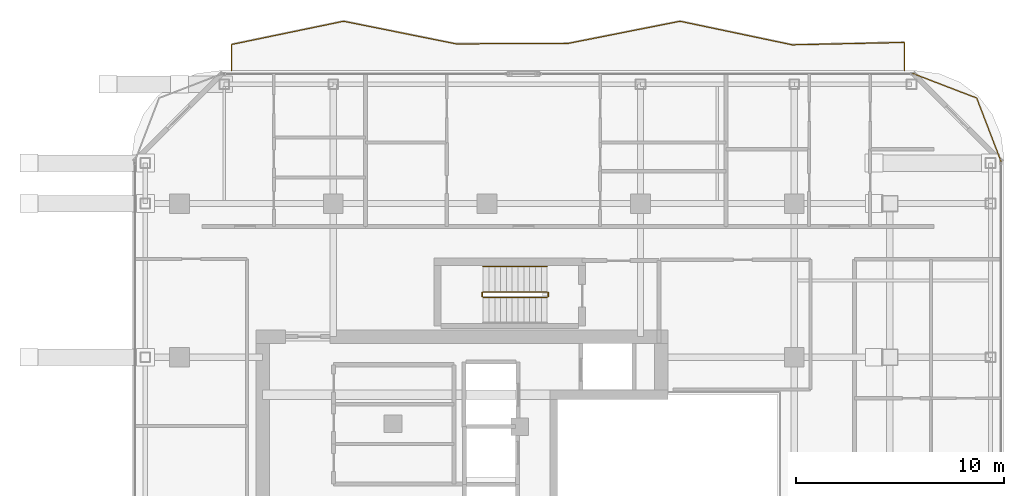
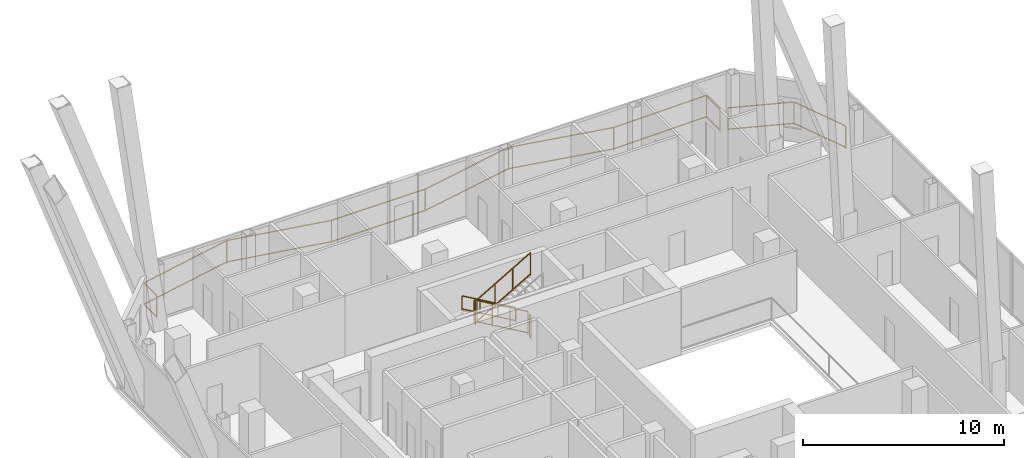
# One storey, part 27 of 27: 7 railings.
"""IFC4 building model written with IfcOpenShell, lengths in metres."""

from ifc_helpers import new_model, si_unit, direction, frame, origin, origin_2d, place, context, subcontext, project, spatial, rectangle, extrude, material, type_object, element, save


model = new_model("IFC4")

# Units and contexts
model_context = context("Model", 3, precision=1e-05, world=origin(), true_north=direction((0.0, 1.0)))
body_context = subcontext(model_context, "Body", "Model", "MODEL_VIEW")
ifc_project = project(units=[si_unit("LENGTHUNIT", "METRE"), si_unit("AREAUNIT", "SQUARE_METRE"), si_unit("VOLUMEUNIT", "CUBIC_METRE"), si_unit("PLANEANGLEUNIT", "RADIAN"), si_unit("MASSUNIT", "GRAM", prefix="KILO")], contexts=[model_context])

# Site, building, storey
site_placement = place(None, origin())
site = spatial("IfcSite", under=ifc_project, at=site_placement, CompositionType="ELEMENT")
building_placement = place(site_placement, origin())
building = spatial("IfcBuilding", under=site, at=building_placement, Name="Khorvyn Point Tower", CompositionType="ELEMENT")
storey_placement = place(building_placement, frame((0.0, 0.0, 270.300048828125)))
storey = spatial("IfcBuildingStorey", under=building, at=storey_placement, Name="L66", CompositionType="ELEMENT", Elevation=270.300048828125)

# Railings
ifc_material_1 = material(Name="Anodised aluminium 6063-T6 and laminated safety glass", Category="aluminium")
railing_type_1 = type_object("IfcRailingType", Name="Laminated Glass and Aluminium Balcony Guardrail 1400", PredefinedType="BALUSTRADE", material=ifc_material_1)
railing_1_placement = place(storey_placement, frame((24.7744140625, 16.78662109375, 0.0)))
element("IfcRailing", 1, at=railing_1_placement, inside=storey, type_object=railing_type_1, Name="L66 Rounded Corner Edge Guardrail NE", PredefinedType="BALUSTRADE", context=body_context, shape_type="SweptSolid", body=[
    extrude(rectangle(XDim=0.048095703125, YDim=0.048095703125, at=origin_2d()), frame((0.0, 0.0, 1.3759765625), z_axis=(-0.358392411044, 0.93357103624, 0.0), x_axis=(-0.93357103624, -0.358392411044, 0.0)), (0.0, 0.0, 1.0), 3.31884765625),
    extrude(rectangle(XDim=0.048095703125, YDim=0.048095703125, at=origin_2d()), frame((0.0, 0.0, 0.080078125), z_axis=(-0.358392411044, 0.93357103624, 0.0), x_axis=(-0.93357103624, -0.358392411044, 0.0)), (0.0, 0.0, 1.0), 3.31884765625),
    extrude(rectangle(XDim=0.048095703125, YDim=0.048095703125, at=origin_2d()), frame((-1.189453125, 3.098388671875, 1.3759765625), z_axis=(-0.93357103624, 0.358392411044, 0.0), x_axis=(-0.358392411044, -0.93357103624, 0.0)), (0.0, 0.0, 1.0), 3.31884765625),
    extrude(rectangle(XDim=0.048095703125, YDim=0.048095703125, at=origin_2d()), frame((-1.189453125, 3.098388671875, 0.080078125), z_axis=(-0.93357103624, 0.358392411044, 0.0), x_axis=(-0.358392411044, -0.93357103624, 0.0)), (0.0, 0.0, 1.0), 3.31884765625),
    extrude(rectangle(XDim=0.0419921875, YDim=0.0419921875, at=origin_2d()), origin(), (0.0, 0.0, 1.0), 1.351806640625),
    extrude(rectangle(XDim=0.0419921875, YDim=0.0419921875, at=origin_2d()), frame((-1.189453125, 3.098388671875, 0.0)), (0.0, 0.0, 1.0), 1.351806640625),
    extrude(rectangle(XDim=0.0419921875, YDim=0.0419921875, at=origin_2d()), frame((-4.287841796875, 4.287841796875, 0.0)), (0.0, 0.0, 1.0), 1.351806640625),
])
railing_2_placement = place(storey_placement, frame((20.10009765625, 21.199951171875, 0.0)))
element("IfcRailing", 2, at=railing_2_placement, inside=storey, type_object=railing_type_1, Name="L66 North Balcony Guardrail", PredefinedType="BALUSTRADE", context=body_context, shape_type="SweptSolid", body=[
    extrude(rectangle(XDim=0.048095703125, YDim=0.048095703125, at=origin_2d()), frame((0.0, 0.0, 1.3759765625), z_axis=(0.0, 1.0, 0.0), x_axis=(-1.0, 0.0, 0.0)), (0.0, 0.0, 1.0), 1.362548828125),
    extrude(rectangle(XDim=0.048095703125, YDim=0.048095703125, at=origin_2d()), frame((0.0, 0.0, 0.080078125), z_axis=(0.0, 1.0, 0.0), x_axis=(-1.0, 0.0, 0.0)), (0.0, 0.0, 1.0), 1.362548828125),
    extrude(rectangle(XDim=0.048095703125, YDim=0.048095703125, at=origin_2d()), frame((0.0, 1.362548828125, 1.3759765625), z_axis=(-0.999771433598, -0.021379442474, 0.0), x_axis=(0.021379442474, -0.999771433598, 0.0)), (0.0, 0.0, 1.0), 5.4013671875),
    extrude(rectangle(XDim=0.048095703125, YDim=0.048095703125, at=origin_2d()), frame((0.0, 1.362548828125, 0.080078125), z_axis=(-0.999771433598, -0.021379442474, 0.0), x_axis=(0.021379442474, -0.999771433598, 0.0)), (0.0, 0.0, 1.0), 5.4013671875),
    extrude(rectangle(XDim=0.048095703125, YDim=0.048095703125, at=origin_2d()), frame((-5.400146484375, 1.2470703125, 1.3759765625), z_axis=(-0.978633735831, 0.205611310715, 0.0), x_axis=(-0.205611310715, -0.978633735831, 0.0)), (0.0, 0.0, 1.0), 5.517822265625),
    extrude(rectangle(XDim=0.048095703125, YDim=0.048095703125, at=origin_2d()), frame((-5.400146484375, 1.2470703125, 0.080078125), z_axis=(-0.978633735831, 0.205611310715, 0.0), x_axis=(-0.205611310715, -0.978633735831, 0.0)), (0.0, 0.0, 1.0), 5.517822265625),
    extrude(rectangle(XDim=0.048095703125, YDim=0.048095703125, at=origin_2d()), frame((-10.800048828125, 2.381591796875, 1.3759765625), z_axis=(-0.980935546129, -0.194333358793, 0.0), x_axis=(0.194333358793, -0.980935546129, 0.0)), (0.0, 0.0, 1.0), 5.505126953125),
    extrude(rectangle(XDim=0.048095703125, YDim=0.048095703125, at=origin_2d()), frame((-10.800048828125, 2.381591796875, 0.080078125), z_axis=(-0.980935546129, -0.194333358793, 0.0), x_axis=(0.194333358793, -0.980935546129, 0.0)), (0.0, 0.0, 1.0), 5.505126953125),
    extrude(rectangle(XDim=0.048095703125, YDim=0.048095703125, at=origin_2d()), frame((-16.2001953125, 1.311767578125, 1.3759765625), z_axis=(-0.999995274007, -0.003074404496, 0.0), x_axis=(0.003074404496, -0.999995274007, 0.0)), (0.0, 0.0, 1.0), 5.39990234375),
    extrude(rectangle(XDim=0.048095703125, YDim=0.048095703125, at=origin_2d()), frame((-16.2001953125, 1.311767578125, 0.080078125), z_axis=(-0.999995274007, -0.003074404496, 0.0), x_axis=(0.003074404496, -0.999995274007, 0.0)), (0.0, 0.0, 1.0), 5.39990234375),
    extrude(rectangle(XDim=0.048095703125, YDim=0.048095703125, at=origin_2d()), frame((-21.60009765625, 1.295166015625, 1.3759765625), z_axis=(-0.980329281504, 0.197368943419, 0.0), x_axis=(-0.197368943419, -0.980329281504, 0.0)), (0.0, 0.0, 1.0), 5.50830078125),
    extrude(rectangle(XDim=0.048095703125, YDim=0.048095703125, at=origin_2d()), frame((-21.60009765625, 1.295166015625, 0.080078125), z_axis=(-0.980329281504, 0.197368943419, 0.0), x_axis=(-0.197368943419, -0.980329281504, 0.0)), (0.0, 0.0, 1.0), 5.50830078125),
    extrude(rectangle(XDim=0.048095703125, YDim=0.048095703125, at=origin_2d()), frame((-27.0, 2.38232421875, 1.3759765625), z_axis=(-0.979175531991, -0.203015461355, 0.0), x_axis=(0.203015461355, -0.979175531991, 0.0)), (0.0, 0.0, 1.0), 5.514892578125),
    extrude(rectangle(XDim=0.048095703125, YDim=0.048095703125, at=origin_2d()), frame((-27.0, 2.38232421875, 0.080078125), z_axis=(-0.979175531991, -0.203015461355, 0.0), x_axis=(0.203015461355, -0.979175531991, 0.0)), (0.0, 0.0, 1.0), 5.514892578125),
    extrude(rectangle(XDim=0.048095703125, YDim=0.048095703125, at=origin_2d()), frame((-32.400146484375, 1.2626953125, 1.3759765625), z_axis=(0.0, -1.0, 0.0), x_axis=(1.0, 0.0, 0.0)), (0.0, 0.0, 1.0), 1.2626953125),
    extrude(rectangle(XDim=0.048095703125, YDim=0.048095703125, at=origin_2d()), frame((-32.400146484375, 1.2626953125, 0.080078125), z_axis=(0.0, -1.0, 0.0), x_axis=(1.0, 0.0, 0.0)), (0.0, 0.0, 1.0), 1.2626953125),
    extrude(rectangle(XDim=0.0419921875, YDim=0.0419921875, at=origin_2d()), origin(), (0.0, 0.0, 1.0), 1.351806640625),
    extrude(rectangle(XDim=0.0419921875, YDim=0.0419921875, at=origin_2d()), frame((0.0, 1.362548828125, 0.0)), (0.0, 0.0, 1.0), 1.351806640625),
    extrude(rectangle(XDim=0.0419921875, YDim=0.0419921875, at=origin_2d()), frame((-5.400146484375, 1.2470703125, 0.0)), (0.0, 0.0, 1.0), 1.351806640625),
    extrude(rectangle(XDim=0.0419921875, YDim=0.0419921875, at=origin_2d()), frame((-10.800048828125, 2.381591796875, 0.0)), (0.0, 0.0, 1.0), 1.351806640625),
    extrude(rectangle(XDim=0.0419921875, YDim=0.0419921875, at=origin_2d()), frame((-16.2001953125, 1.311767578125, 0.0)), (0.0, 0.0, 1.0), 1.351806640625),
    extrude(rectangle(XDim=0.0419921875, YDim=0.0419921875, at=origin_2d()), frame((-21.60009765625, 1.295166015625, 0.0)), (0.0, 0.0, 1.0), 1.351806640625),
    extrude(rectangle(XDim=0.0419921875, YDim=0.0419921875, at=origin_2d()), frame((-27.0, 2.38232421875, 0.0)), (0.0, 0.0, 1.0), 1.351806640625),
    extrude(rectangle(XDim=0.0419921875, YDim=0.0419921875, at=origin_2d()), frame((-32.400146484375, 1.2626953125, 0.0)), (0.0, 0.0, 1.0), 1.351806640625),
    extrude(rectangle(XDim=0.0419921875, YDim=0.0419921875, at=origin_2d()), frame((-32.400146484375, 0.0, 0.0)), (0.0, 0.0, 1.0), 1.351806640625),
])
ifc_material_2 = material(Name="Stainless steel 1.4301", Category="steel")
railing_type_2 = type_object("IfcRailingType", Name="Stainless Steel 304 Stair Pitch Handrail 900", PredefinedType="HANDRAIL", material=ifc_material_2)
railing_3_placement = place(storey_placement, frame((2.89990234375, 11.77001953125, 0.162353515625)))
element("IfcRailing", 3, at=railing_3_placement, inside=storey, type_object=railing_type_2, Name="L66 ST-02 stair handrail 1", PredefinedType="HANDRAIL", context=body_context, shape_type="SweptSolid", body=[
    extrude(rectangle(XDim=0.048095703125, YDim=0.048095703125, at=origin_2d()), frame((0.0, 0.0, 0.8759765625), z_axis=(-0.864873446163, 0.0, 0.501989962173), x_axis=(0.0, -1.0, 0.0)), (0.0, 0.0, 1.0), 3.56103515625),
    extrude(rectangle(XDim=0.048095703125, YDim=0.048095703125, at=origin_2d()), frame((0.0, 0.0, 0.080078125), z_axis=(-0.864873446163, 0.0, 0.501989962173), x_axis=(0.0, -1.0, 0.0)), (0.0, 0.0, 1.0), 3.56103515625),
    extrude(rectangle(XDim=0.0419921875, YDim=0.0419921875, at=origin_2d()), origin(), (0.0, 0.0, 1.0), 0.851806640625),
    extrude(rectangle(XDim=0.0419921875, YDim=0.0419921875, at=origin_2d()), frame((-1.026611328125, 0.0, 0.595947265625)), (0.0, 0.0, 1.0), 0.851806640625),
    extrude(rectangle(XDim=0.0419921875, YDim=0.0419921875, at=origin_2d()), frame((-2.05322265625, 0.0, 1.191650390625)), (0.0, 0.0, 1.0), 0.851806640625),
    extrude(rectangle(XDim=0.0419921875, YDim=0.0419921875, at=origin_2d()), frame((-3.079833984375, 0.0, 1.78759765625)), (0.0, 0.0, 1.0), 0.851806640625),
])
railing_type_3 = type_object("IfcRailingType", Name="Stainless Steel 304 Stair Well Guardrail 1400", PredefinedType="GUARDRAIL", material=ifc_material_2)
railing_4_placement = place(storey_placement, frame((2.89990234375, 10.550048828125, 0.162353515625)))
element("IfcRailing", 4, at=railing_4_placement, inside=storey, type_object=railing_type_3, Name="L66 ST-02 stair guard 1", PredefinedType="GUARDRAIL", context=body_context, shape_type="SweptSolid", body=[
    extrude(rectangle(XDim=0.048095703125, YDim=0.048095703125, at=origin_2d()), frame((0.0, 0.0, 1.3759765625), z_axis=(-0.864873446163, 0.0, 0.501989962173), x_axis=(0.0, -1.0, 0.0)), (0.0, 0.0, 1.0), 3.56103515625),
    extrude(rectangle(XDim=0.048095703125, YDim=0.048095703125, at=origin_2d()), frame((0.0, 0.0, 0.080078125), z_axis=(-0.864873446163, 0.0, 0.501989962173), x_axis=(0.0, -1.0, 0.0)), (0.0, 0.0, 1.0), 3.56103515625),
    extrude(rectangle(XDim=0.0419921875, YDim=0.0419921875, at=origin_2d()), origin(), (0.0, 0.0, 1.0), 1.351806640625),
    extrude(rectangle(XDim=0.0419921875, YDim=0.0419921875, at=origin_2d()), frame((-1.026611328125, 0.0, 0.595947265625)), (0.0, 0.0, 1.0), 1.351806640625),
    extrude(rectangle(XDim=0.0419921875, YDim=0.0419921875, at=origin_2d()), frame((-2.05322265625, 0.0, 1.191650390625)), (0.0, 0.0, 1.0), 1.351806640625),
    extrude(rectangle(XDim=0.0419921875, YDim=0.0419921875, at=origin_2d()), frame((-3.079833984375, 0.0, 1.78759765625)), (0.0, 0.0, 1.0), 1.351806640625),
])
railing_5_placement = place(storey_placement, frame((-0.22998046875, 10.5, 1.949951171875)))
element("IfcRailing", 5, at=railing_5_placement, inside=storey, type_object=railing_type_3, Name="L66 ST-02 stair guard 2", PredefinedType="GUARDRAIL", context=body_context, shape_type="SweptSolid", body=[
    extrude(rectangle(XDim=0.048095703125, YDim=0.048095703125, at=origin_2d()), frame((0.0, 0.0, 1.3759765625), z_axis=(0.0, -1.0, 0.0), x_axis=(1.0, 0.0, 0.0)), (0.0, 0.0, 1.0), 0.159912109375),
    extrude(rectangle(XDim=0.048095703125, YDim=0.048095703125, at=origin_2d()), frame((0.0, 0.0, 0.080078125), z_axis=(0.0, -1.0, 0.0), x_axis=(1.0, 0.0, 0.0)), (0.0, 0.0, 1.0), 0.159912109375),
    extrude(rectangle(XDim=0.0419921875, YDim=0.0419921875, at=origin_2d()), origin(), (0.0, 0.0, 1.0), 1.351806640625),
    extrude(rectangle(XDim=0.0419921875, YDim=0.0419921875, at=origin_2d()), frame((0.0, -0.159912109375, 0.0)), (0.0, 0.0, 1.0), 1.351806640625),
])
railing_6_placement = place(storey_placement, frame((-0.179931640625, 10.2900390625, 2.112548828125)))
element("IfcRailing", 6, at=railing_6_placement, inside=storey, type_object=railing_type_3, Name="L66 ST-02 stair guard 3", PredefinedType="GUARDRAIL", context=body_context, shape_type="SweptSolid", body=[
    extrude(rectangle(XDim=0.048095703125, YDim=0.048095703125, at=origin_2d()), frame((0.0, 0.0, 1.3759765625), z_axis=(0.864903211148, 0.0, 0.501938676878), x_axis=(0.0, 1.0, 0.0)), (0.0, 0.0, 1.0), 3.560791015625),
    extrude(rectangle(XDim=0.048095703125, YDim=0.048095703125, at=origin_2d()), frame((0.0, 0.0, 0.080078125), z_axis=(0.864903211148, 0.0, 0.501938676878), x_axis=(0.0, 1.0, 0.0)), (0.0, 0.0, 1.0), 3.560791015625),
    extrude(rectangle(XDim=0.0419921875, YDim=0.0419921875, at=origin_2d()), origin(), (0.0, 0.0, 1.0), 1.351806640625),
    extrude(rectangle(XDim=0.0419921875, YDim=0.0419921875, at=origin_2d()), frame((1.026611328125, 0.0, 0.595703125)), (0.0, 0.0, 1.0), 1.351806640625),
    extrude(rectangle(XDim=0.0419921875, YDim=0.0419921875, at=origin_2d()), frame((2.05322265625, 0.0, 1.191650390625)), (0.0, 0.0, 1.0), 1.351806640625),
    extrude(rectangle(XDim=0.0419921875, YDim=0.0419921875, at=origin_2d()), frame((3.079833984375, 0.0, 1.787353515625)), (0.0, 0.0, 1.0), 1.351806640625),
])
railing_7_placement = place(storey_placement, frame((2.949951171875, 10.5, 0.0)))
element("IfcRailing", 7, at=railing_7_placement, inside=storey, type_object=railing_type_3, Name="L66 ST-02 stair guard 4", PredefinedType="GUARDRAIL", context=body_context, shape_type="SweptSolid", body=[
    extrude(rectangle(XDim=0.048095703125, YDim=0.048095703125, at=origin_2d()), frame((0.0, 0.0, 1.3759765625), z_axis=(0.0, -1.0, 0.0), x_axis=(1.0, 0.0, 0.0)), (0.0, 0.0, 1.0), 0.159912109375),
    extrude(rectangle(XDim=0.048095703125, YDim=0.048095703125, at=origin_2d()), frame((0.0, 0.0, 0.080078125), z_axis=(0.0, -1.0, 0.0), x_axis=(1.0, 0.0, 0.0)), (0.0, 0.0, 1.0), 0.159912109375),
    extrude(rectangle(XDim=0.0419921875, YDim=0.0419921875, at=origin_2d()), origin(), (0.0, 0.0, 1.0), 1.351806640625),
    extrude(rectangle(XDim=0.0419921875, YDim=0.0419921875, at=origin_2d()), frame((0.0, -0.159912109375, 0.0)), (0.0, 0.0, 1.0), 1.351806640625),
])

save(model, "model.ifc")
